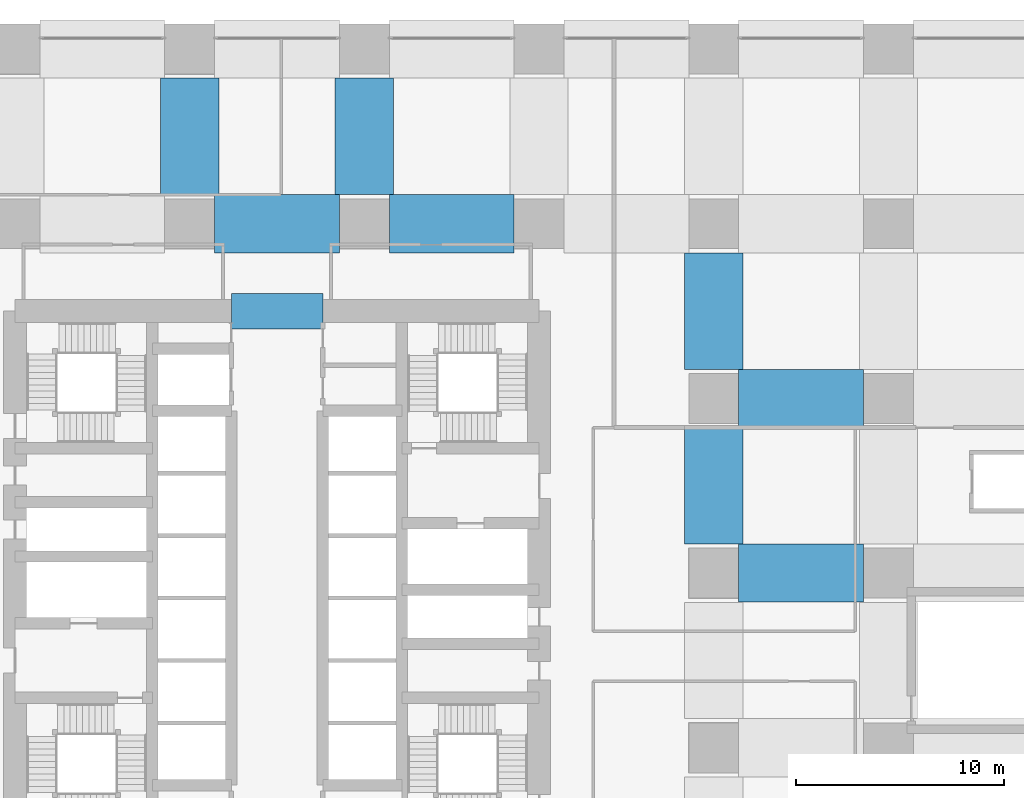
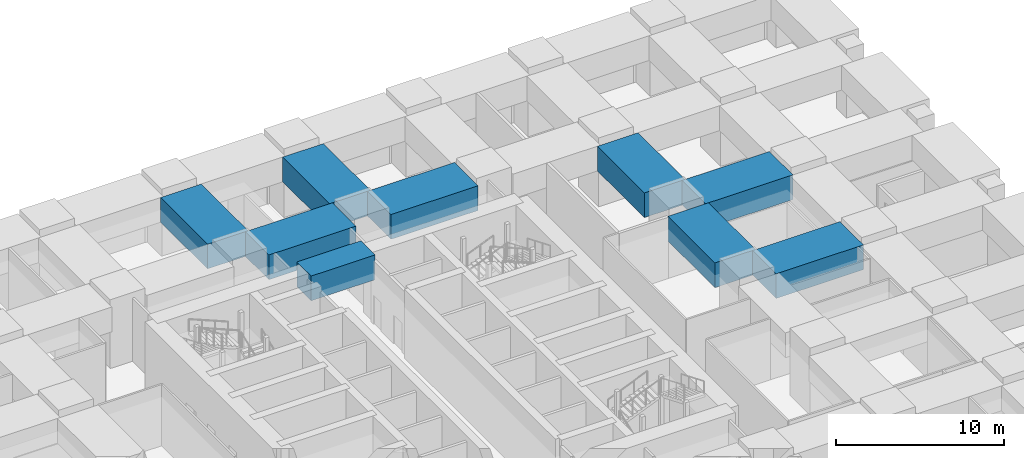
# One storey, part 26 of 52: 9 beams.
"""IFC4 building model written with IfcOpenShell, lengths in metres."""

from ifc_helpers import new_model, si_unit, direction, frame, origin, origin_2d, place, context, subcontext, project, spatial, rectangle, extrude, material, material_profile, profile_set, type_object, element, save


model = new_model("IFC4")

# Units and contexts
model_context = context("Model", 3, precision=1e-05, world=origin(), true_north=direction((0.0, 1.0)))
body_context = subcontext(model_context, "Body", "Model", "MODEL_VIEW")
ifc_project = project(units=[si_unit("LENGTHUNIT", "METRE"), si_unit("AREAUNIT", "SQUARE_METRE"), si_unit("VOLUMEUNIT", "CUBIC_METRE"), si_unit("PLANEANGLEUNIT", "RADIAN"), si_unit("MASSUNIT", "GRAM", prefix="KILO")], contexts=[model_context])

# Site, building, storey
site_placement = place(None, origin())
site = spatial("IfcSite", under=ifc_project, at=site_placement, CompositionType="ELEMENT")
building_placement = place(site_placement, origin())
building = spatial("IfcBuilding", under=site, at=building_placement, Name="Rekha Terrace Tower", CompositionType="ELEMENT")
storey_placement = place(building_placement, frame((0.0, 0.0, 20.39990234375)))
storey = spatial("IfcBuildingStorey", under=building, at=storey_placement, Name="L04", CompositionType="ELEMENT", Elevation=20.39990234375)

# Beams
ifc_material = material(Name="Concrete M70", Category="concrete")
ifc_material_profile_1 = material_profile(ifc_material, rectangle(XDim=2.800048828125, YDim=1.800048828125, at=origin_2d()), Name="RC 2800x1800")
ifc_profile_set_1 = profile_set([ifc_material_profile_1], Name="Concrete M70")
beam_type_1 = type_object("IfcBeamType", Name="G2 2800x1800 podium roof band beam", PredefinedType="BEAM", material=ifc_profile_set_1)
beam_1_placement = place(storey_placement, frame((34.800048828125, 50.39990234375, 3.7001953125), z_axis=(1.0, 0.0, 0.0), x_axis=(0.0, 1.0, 0.0)))
element("IfcBeam", 1, at=beam_1_placement, inside=storey, type_object=beam_type_1, Name="Beam G2 5G-6G under L05", PredefinedType="BEAM", context=body_context, shape_type="SweptSolid", body=[
    extrude(rectangle(XDim=2.800048828125, YDim=1.800048828125, at=origin_2d()), origin(), (0.0, 0.0, 1.0), 6.0),
])
beam_2_placement = place(storey_placement, frame((33.60009765625, 51.800048828125, 3.7001953125), z_axis=(0.0, 1.0, 0.0), x_axis=(-1.0, 0.0, 0.0)))
element("IfcBeam", 2, at=beam_2_placement, inside=storey, type_object=beam_type_1, Name="Beam G2 5G-5H under L05", PredefinedType="BEAM", context=body_context, shape_type="SweptSolid", body=[
    extrude(rectangle(XDim=2.800048828125, YDim=1.800048828125, at=origin_2d()), origin(), (0.0, 0.0, 1.0), 5.599853515625),
])
beam_3_placement = place(storey_placement, frame((43.199951171875, 50.39990234375, 3.7001953125), z_axis=(1.0, 0.0, 0.0), x_axis=(0.0, 1.0, 0.0)))
element("IfcBeam", 3, at=beam_3_placement, inside=storey, type_object=beam_type_1, Name="Beam G2 6G-7G under L05", PredefinedType="BEAM", context=body_context, shape_type="SweptSolid", body=[
    extrude(rectangle(XDim=2.800048828125, YDim=1.800048828125, at=origin_2d()), origin(), (0.0, 0.0, 1.0), 6.0),
])
beam_4_placement = place(storey_placement, frame((42.0, 51.800048828125, 3.7001953125), z_axis=(0.0, 1.0, 0.0), x_axis=(-1.0, 0.0, 0.0)))
element("IfcBeam", 4, at=beam_4_placement, inside=storey, type_object=beam_type_1, Name="Beam G2 6G-6H under L05", PredefinedType="BEAM", context=body_context, shape_type="SweptSolid", body=[
    extrude(rectangle(XDim=2.800048828125, YDim=1.800048828125, at=origin_2d()), origin(), (0.0, 0.0, 1.0), 5.599853515625),
])
beam_5_placement = place(storey_placement, frame((60.0, 33.60009765625, 3.7001953125), z_axis=(1.0, 0.0, 0.0), x_axis=(0.0, 1.0, 0.0)))
element("IfcBeam", 5, at=beam_5_placement, inside=storey, type_object=beam_type_1, Name="Beam G2 8E-9E under L05", PredefinedType="BEAM", context=body_context, shape_type="SweptSolid", body=[
    extrude(rectangle(XDim=2.800048828125, YDim=1.800048828125, at=origin_2d()), origin(), (0.0, 0.0, 1.0), 6.0),
])
beam_6_placement = place(storey_placement, frame((58.800048828125, 35.0, 3.7001953125), z_axis=(0.0, 1.0, 0.0), x_axis=(-1.0, 0.0, 0.0)))
element("IfcBeam", 6, at=beam_6_placement, inside=storey, type_object=beam_type_1, Name="Beam G2 8E-8F under L05", PredefinedType="BEAM", context=body_context, shape_type="SweptSolid", body=[
    extrude(rectangle(XDim=2.800048828125, YDim=1.800048828125, at=origin_2d()), origin(), (0.0, 0.0, 1.0), 5.60009765625),
])
beam_7_placement = place(storey_placement, frame((60.0, 42.0, 3.7001953125), z_axis=(1.0, 0.0, 0.0), x_axis=(0.0, 1.0, 0.0)))
element("IfcBeam", 7, at=beam_7_placement, inside=storey, type_object=beam_type_1, Name="Beam G2 8F-9F under L05", PredefinedType="BEAM", context=body_context, shape_type="SweptSolid", body=[
    extrude(rectangle(XDim=2.800048828125, YDim=1.800048828125, at=origin_2d()), origin(), (0.0, 0.0, 1.0), 6.0),
])
beam_8_placement = place(storey_placement, frame((58.800048828125, 43.39990234375, 3.7001953125), z_axis=(0.0, 1.0, 0.0), x_axis=(-1.0, 0.0, 0.0)))
element("IfcBeam", 8, at=beam_8_placement, inside=storey, type_object=beam_type_1, Name="Beam G2 8F-8G under L05", PredefinedType="BEAM", context=body_context, shape_type="SweptSolid", body=[
    extrude(rectangle(XDim=2.800048828125, YDim=1.800048828125, at=origin_2d()), origin(), (0.0, 0.0, 1.0), 5.60009765625),
])
ifc_material_profile_2 = material_profile(ifc_material, rectangle(XDim=1.699951171875, YDim=1.800048828125, at=origin_2d()), Name="RC 1700x1800")
ifc_profile_set_2 = profile_set([ifc_material_profile_2], Name="Concrete M70")
beam_type_2 = type_object("IfcBeamType", Name="LB1B 1700x1800 diagonally reinforced coupling beam", PredefinedType="LINTEL", material=ifc_profile_set_2)
beam_9_placement = place(storey_placement, frame((35.60009765625, 46.199951171875, 4.10009765625), z_axis=(1.0, 0.0, 0.0), x_axis=(0.0, 1.0, 0.0)))
element("IfcBeam", 9, at=beam_9_placement, inside=storey, type_object=beam_type_2, Name="Coupling beam LB1B N L04", PredefinedType="LINTEL", context=body_context, shape_type="SweptSolid", body=[
    extrude(rectangle(XDim=1.699951171875, YDim=1.800048828125, at=origin_2d()), origin(), (0.0, 0.0, 1.0), 4.39990234375),
])

save(model, "model.ifc")
